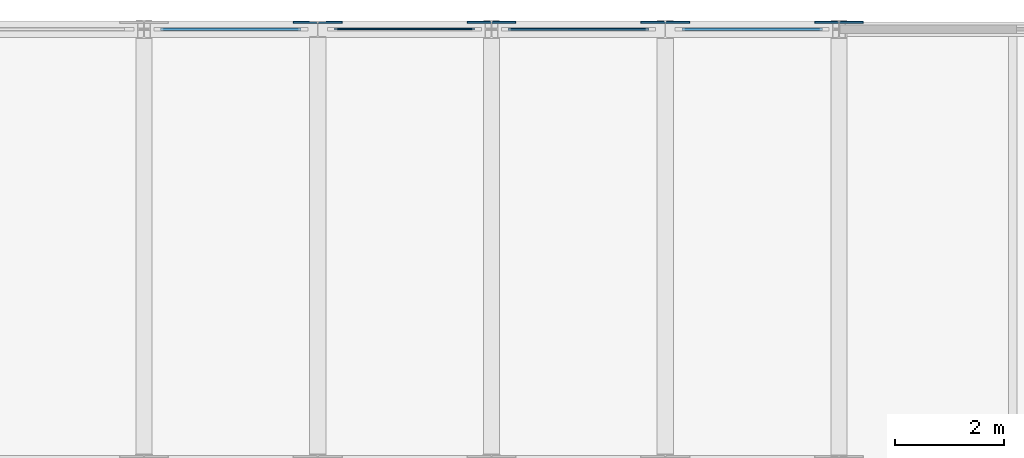
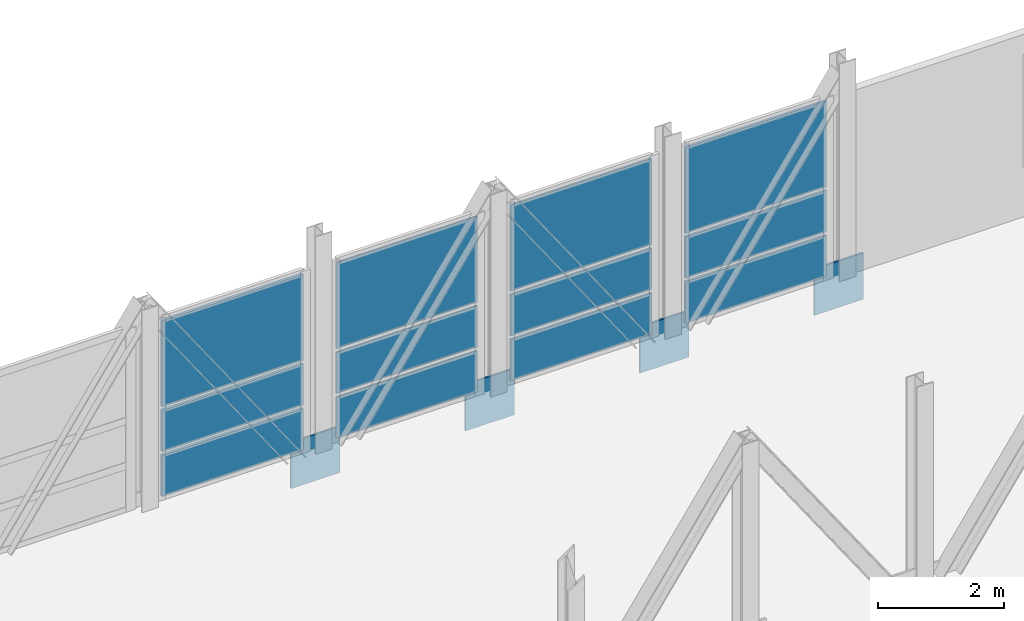
# One storey, part 53 of 73: 16 plates, 4 elements without a shape of their own.
"""IFC4 building model written with IfcOpenShell, lengths in metres."""

from ifc_helpers import new_model, si_unit, direction, frame, origin, origin_2d, place, context, subcontext, project, spatial, rectangle, extrude, material, layer, layer_set, type_object, element, aggregate, save


model = new_model("IFC4")

# Units and contexts
model_context = context("Model", 3, precision=1e-05, world=origin(), true_north=direction((0.0, 1.0)))
body_context = subcontext(model_context, "Body", "Model", "MODEL_VIEW")
ifc_project = project(units=[si_unit("LENGTHUNIT", "METRE"), si_unit("AREAUNIT", "SQUARE_METRE"), si_unit("VOLUMEUNIT", "CUBIC_METRE"), si_unit("PLANEANGLEUNIT", "RADIAN"), si_unit("MASSUNIT", "GRAM", prefix="KILO")], contexts=[model_context])

# Site, building, storey
site_placement = place(None, origin())
site = spatial("IfcSite", under=ifc_project, at=site_placement, CompositionType="ELEMENT")
building_placement = place(site_placement, origin())
building = spatial("IfcBuilding", under=site, at=building_placement, Name="Alderhovde Museum", CompositionType="ELEMENT")
storey_placement = place(building_placement, frame((0.0, 0.0, 12.89990234375)))
storey = spatial("IfcBuildingStorey", under=building, at=storey_placement, Name="L03", CompositionType="ELEMENT", Elevation=12.89990234375)

# Curtain wall, plates
ifc_material_1 = material(Name="Triple-Glazed Bronze-Anodised Curtain Wall", Category="glass")
ifc_layer_1 = layer(ifc_material_1, 0.179931640625)
ifc_layer_set_1 = layer_set([ifc_layer_1], Name="Triple-Glazed Bronze-Anodised Curtain Wall")
curtain_wall_type = type_object("IfcCurtainWallType", Name="CW-UNIT-272x354", PredefinedType="USERDEFINED", material=ifc_layer_set_1)
curtain_wall_1_placement = place(storey_placement, origin())
curtain_wall_1 = element("IfcCurtainWall", 1, at=curtain_wall_1_placement, inside=storey, type_object=curtain_wall_type, Name="L03 Unitised Curtain Wall 108", ObjectType="UNITISED CURTAIN WALL", PredefinedType="USERDEFINED")
ifc_material_2 = material(Name="Triple-Glazed Low-E Laminated Glass", Category="glass")
ifc_layer_2 = layer(ifc_material_2, 0.028076171875)
ifc_layer_set_2 = layer_set([ifc_layer_2], Name="Triple-Glazed Low-E Laminated Glass")
plate_type_1 = type_object("IfcPlateType", Name="CWP-GLAZ-28", PredefinedType="CURTAIN_PANEL", material=ifc_layer_set_2)
plate_1_placement = place(storey_placement, frame((20.800048828125, 112.0, 0.06494140625), z_axis=(0.0, 0.0, 1.0), x_axis=(1.0, 0.0, 0.0)))
plate_1 = element("IfcPlate", 2, at=plate_1_placement, type_object=plate_type_1, Name="CW26 panel 1.1", PredefinedType="CURTAIN_PANEL", context=body_context, shape_type="SweptSolid", body=[
    extrude(rectangle(XDim=2.590087890625, YDim=0.028076171875, at=origin_2d()), origin(), (0.0, 0.0, 1.0), 0.802490234375),
])
plate_2_placement = place(storey_placement, frame((20.800048828125, 112.0, 0.9326171875), z_axis=(0.0, 0.0, 1.0), x_axis=(1.0, 0.0, 0.0)))
plate_2 = element("IfcPlate", 3, at=plate_2_placement, type_object=plate_type_1, Name="CW26 panel 1.2", PredefinedType="CURTAIN_PANEL", context=body_context, shape_type="SweptSolid", body=[
    extrude(rectangle(XDim=2.590087890625, YDim=0.028076171875, at=origin_2d()), origin(), (0.0, 0.0, 1.0), 0.804931640625),
])
plate_3_placement = place(storey_placement, frame((20.800048828125, 112.0, 1.802734375), z_axis=(0.0, 0.0, 1.0), x_axis=(1.0, 0.0, 0.0)))
plate_3 = element("IfcPlate", 4, at=plate_3_placement, type_object=plate_type_1, Name="CW26 panel 1.3", PredefinedType="CURTAIN_PANEL", context=body_context, shape_type="SweptSolid", body=[
    extrude(rectangle(XDim=2.590087890625, YDim=0.028076171875, at=origin_2d()), origin(), (0.0, 0.0, 1.0), 1.672607421875),
])
aggregate(curtain_wall_1, [plate_1, plate_2, plate_3])

curtain_wall_2_placement = place(storey_placement, origin())
curtain_wall_2 = element("IfcCurtainWall", 5, at=curtain_wall_2_placement, inside=storey, type_object=curtain_wall_type, Name="L03 Unitised Curtain Wall 109", ObjectType="UNITISED CURTAIN WALL", PredefinedType="USERDEFINED")
ifc_material_3 = material(Name="Triple-Glazed Low-E Laminated Glass", Category="glass")
ifc_layer_3 = layer(ifc_material_3, 0.035888671875)
ifc_layer_set_3 = layer_set([ifc_layer_3], Name="Triple-Glazed Low-E Laminated Glass")
plate_type_2 = type_object("IfcPlateType", Name="CWP-GLAZ-36", PredefinedType="CURTAIN_PANEL", material=ifc_layer_set_3)
plate_4_placement = place(storey_placement, frame((24.0, 112.0, 0.06494140625), z_axis=(0.0, 0.0, 1.0), x_axis=(1.0, 0.0, 0.0)))
plate_4 = element("IfcPlate", 6, at=plate_4_placement, type_object=plate_type_2, Name="CW26 panel 1.1", PredefinedType="CURTAIN_PANEL", context=body_context, shape_type="SweptSolid", body=[
    extrude(rectangle(XDim=2.590087890625, YDim=0.035888671875, at=origin_2d()), origin(), (0.0, 0.0, 1.0), 0.802490234375),
])
plate_5_placement = place(storey_placement, frame((24.0, 112.0, 0.9326171875), z_axis=(0.0, 0.0, 1.0), x_axis=(1.0, 0.0, 0.0)))
plate_5 = element("IfcPlate", 7, at=plate_5_placement, type_object=plate_type_2, Name="CW26 panel 1.2", PredefinedType="CURTAIN_PANEL", context=body_context, shape_type="SweptSolid", body=[
    extrude(rectangle(XDim=2.590087890625, YDim=0.035888671875, at=origin_2d()), origin(), (0.0, 0.0, 1.0), 0.804931640625),
])
plate_6_placement = place(storey_placement, frame((24.0, 112.0, 1.802734375), z_axis=(0.0, 0.0, 1.0), x_axis=(1.0, 0.0, 0.0)))
plate_6 = element("IfcPlate", 8, at=plate_6_placement, type_object=plate_type_2, Name="CW26 panel 1.3", PredefinedType="CURTAIN_PANEL", context=body_context, shape_type="SweptSolid", body=[
    extrude(rectangle(XDim=2.590087890625, YDim=0.035888671875, at=origin_2d()), origin(), (0.0, 0.0, 1.0), 1.672607421875),
])
aggregate(curtain_wall_2, [plate_4, plate_5, plate_6])

curtain_wall_3_placement = place(storey_placement, origin())
curtain_wall_3 = element("IfcCurtainWall", 9, at=curtain_wall_3_placement, inside=storey, type_object=curtain_wall_type, Name="L03 Unitised Curtain Wall 110", ObjectType="UNITISED CURTAIN WALL", PredefinedType="USERDEFINED")
ifc_material_4 = material(Name="Triple-Glazed Low-E Laminated Glass", Category="glass")
ifc_layer_4 = layer(ifc_material_4, 0.0439453125)
ifc_layer_set_4 = layer_set([ifc_layer_4], Name="Triple-Glazed Low-E Laminated Glass")
plate_type_3 = type_object("IfcPlateType", Name="CWP-GLAZ-44", PredefinedType="CURTAIN_PANEL", material=ifc_layer_set_4)
plate_7_placement = place(storey_placement, frame((27.199951171875, 112.0, 0.06494140625), z_axis=(0.0, 0.0, 1.0), x_axis=(1.0, 0.0, 0.0)))
plate_7 = element("IfcPlate", 10, at=plate_7_placement, type_object=plate_type_3, Name="CW26 panel 1.1", PredefinedType="CURTAIN_PANEL", context=body_context, shape_type="SweptSolid", body=[
    extrude(rectangle(XDim=2.590087890625, YDim=0.0439453125, at=origin_2d()), origin(), (0.0, 0.0, 1.0), 0.802490234375),
])
plate_8_placement = place(storey_placement, frame((27.199951171875, 112.0, 0.9326171875), z_axis=(0.0, 0.0, 1.0), x_axis=(1.0, 0.0, 0.0)))
plate_8 = element("IfcPlate", 11, at=plate_8_placement, type_object=plate_type_3, Name="CW26 panel 1.2", PredefinedType="CURTAIN_PANEL", context=body_context, shape_type="SweptSolid", body=[
    extrude(rectangle(XDim=2.590087890625, YDim=0.0439453125, at=origin_2d()), origin(), (0.0, 0.0, 1.0), 0.804931640625),
])
plate_9_placement = place(storey_placement, frame((27.199951171875, 112.0, 1.802734375), z_axis=(0.0, 0.0, 1.0), x_axis=(1.0, 0.0, 0.0)))
plate_9 = element("IfcPlate", 12, at=plate_9_placement, type_object=plate_type_3, Name="CW26 panel 1.3", PredefinedType="CURTAIN_PANEL", context=body_context, shape_type="SweptSolid", body=[
    extrude(rectangle(XDim=2.590087890625, YDim=0.0439453125, at=origin_2d()), origin(), (0.0, 0.0, 1.0), 1.672607421875),
])
aggregate(curtain_wall_3, [plate_7, plate_8, plate_9])

curtain_wall_4_placement = place(storey_placement, origin())
curtain_wall_4 = element("IfcCurtainWall", 13, at=curtain_wall_4_placement, inside=storey, type_object=curtain_wall_type, Name="L03 Unitised Curtain Wall 107", ObjectType="UNITISED CURTAIN WALL", PredefinedType="USERDEFINED")
ifc_material_5 = material(Name="Triple-Glazed Low-E Laminated Glass", Category="glass")
ifc_layer_5 = layer(ifc_material_5, 0.052001953125)
ifc_layer_set_5 = layer_set([ifc_layer_5], Name="Triple-Glazed Low-E Laminated Glass")
plate_type_4 = type_object("IfcPlateType", Name="CWP-GLAZ-52", PredefinedType="CURTAIN_PANEL", material=ifc_layer_set_5)
plate_10_placement = place(storey_placement, frame((17.60009765625, 112.0, 0.06494140625), z_axis=(0.0, 0.0, 1.0), x_axis=(1.0, 0.0, 0.0)))
plate_10 = element("IfcPlate", 14, at=plate_10_placement, type_object=plate_type_4, Name="CW26 panel 1.1", PredefinedType="CURTAIN_PANEL", context=body_context, shape_type="SweptSolid", body=[
    extrude(rectangle(XDim=2.590087890625, YDim=0.052001953125, at=origin_2d()), origin(), (0.0, 0.0, 1.0), 0.802490234375),
])
plate_11_placement = place(storey_placement, frame((17.60009765625, 112.0, 0.9326171875), z_axis=(0.0, 0.0, 1.0), x_axis=(1.0, 0.0, 0.0)))
plate_11 = element("IfcPlate", 15, at=plate_11_placement, type_object=plate_type_4, Name="CW26 panel 1.2", PredefinedType="CURTAIN_PANEL", context=body_context, shape_type="SweptSolid", body=[
    extrude(rectangle(XDim=2.590087890625, YDim=0.052001953125, at=origin_2d()), origin(), (0.0, 0.0, 1.0), 0.804931640625),
])
plate_12_placement = place(storey_placement, frame((17.60009765625, 112.0, 1.802734375), z_axis=(0.0, 0.0, 1.0), x_axis=(1.0, 0.0, 0.0)))
plate_12 = element("IfcPlate", 16, at=plate_12_placement, type_object=plate_type_4, Name="CW26 panel 1.3", PredefinedType="CURTAIN_PANEL", context=body_context, shape_type="SweptSolid", body=[
    extrude(rectangle(XDim=2.590087890625, YDim=0.052001953125, at=origin_2d()), origin(), (0.0, 0.0, 1.0), 1.672607421875),
])
aggregate(curtain_wall_4, [plate_10, plate_11, plate_12])

# Plates
ifc_material_6 = material(Name="Steel S355J2", Category="steel")
ifc_layer_6 = layer(ifc_material_6, 0.035888671875)
ifc_layer_set_6 = layer_set([ifc_layer_6], Name="Steel S355J2")
plate_type_5 = type_object("IfcPlateType", Name="PLT-GUSSET-36", PredefinedType="USERDEFINED", material=ifc_layer_set_6)
for number, where, z_axis, x_axis, name in (
    (17, (19.199951171875, 112.1298828125, -0.719970703125), (0.0, 0.0, 1.0), (1.0, 0.0, 0.0), "Transfer Truss Gusset Plate Y=112 T1-7"),
    (18, (22.39990234375, 112.1298828125, -0.719970703125), (0.0, 0.0, 1.0), (1.0, 0.0, 0.0), "Transfer Truss Gusset Plate Y=112 T1-8"),
    (19, (25.60009765625, 112.1298828125, -0.719970703125), (0.0, 0.0, 1.0), (1.0, 0.0, 0.0), "Transfer Truss Gusset Plate Y=112 T1-9"),
    (20, (28.800048828125, 112.1298828125, -0.719970703125), (0.0, 0.0, 1.0), (1.0, 0.0, 0.0), "Transfer Truss Gusset Plate Y=112 T1-10"),
):
    element("IfcPlate", number, at=place(storey_placement, frame(where, z_axis=z_axis, x_axis=x_axis)), inside=storey, type_object=plate_type_5, Name=name, ObjectType="GUSSET PLATE", PredefinedType="USERDEFINED", context=body_context, shape_type="SweptSolid", body=[
        extrude(rectangle(XDim=0.89990234375, YDim=0.035888671875, at=origin_2d()), origin(), (0.0, 0.0, 1.0), 0.89990234375),
    ])

save(model, "model.ifc")
